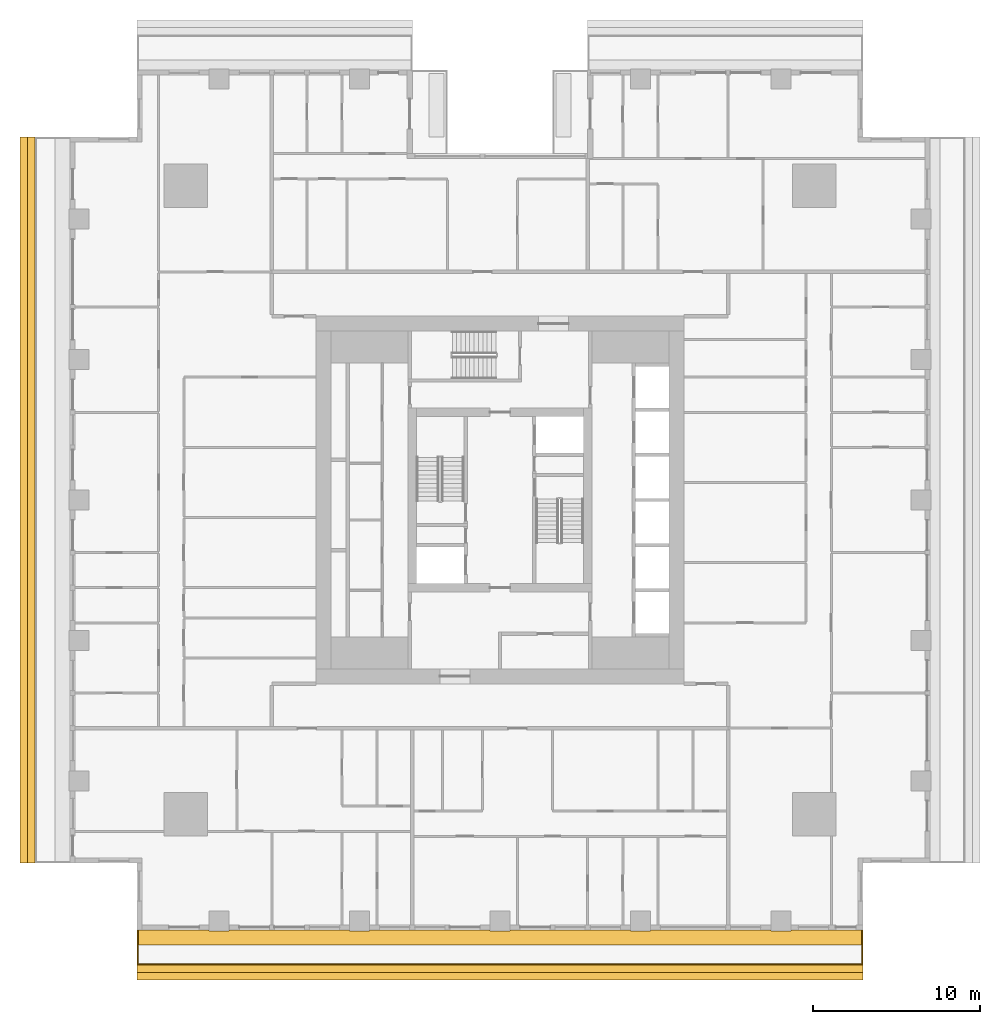
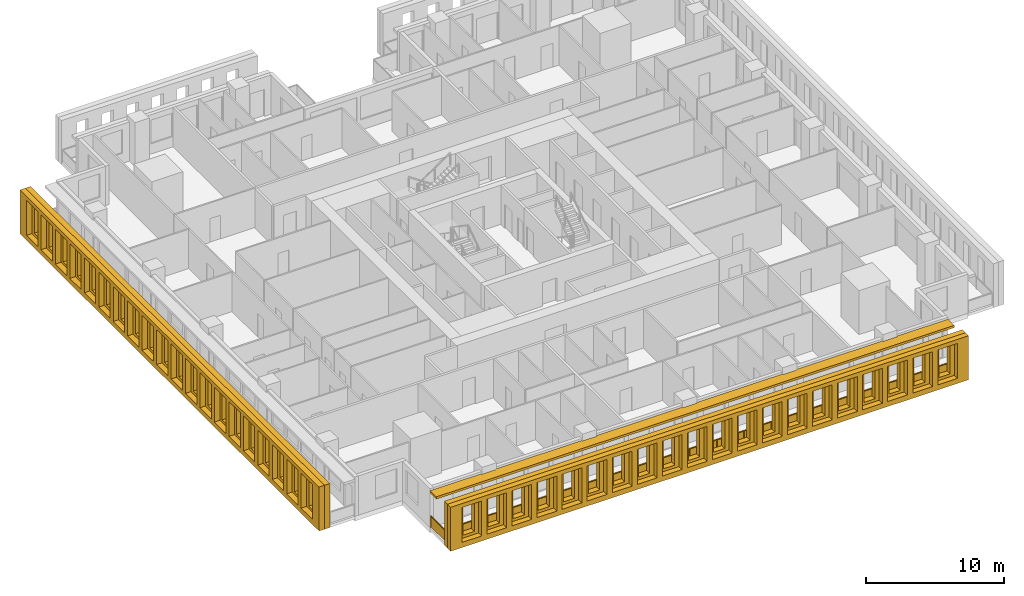
# One storey, part 11 of 16: 5 shading devices, 1 railing.
"""IFC4 building model written with IfcOpenShell, lengths in metres."""

import ifcopenshell
import ifcopenshell.guid

model = None  # the IFC model being written
_history = None  # IfcOwnerHistory: only IFC2X3 demands one
_inside = {}  # id of a spatial element -> (the spatial element, [elements in it])
_under = {}  # id of a project, library or spatial element -> (it, [spatial elements below it])
_declared = {}  # id of a project -> (the project, [libraries it declares])
_typed = {}  # id of a type object -> (the type object, [elements of that type])
_made_of = {}  # id of a material, layer set ... -> (it, [elements and type objects made of it])


def new_model(schema):
    """Start an empty IFC model of exactly this schema.

    Asked for "IFC4X3", IfcOpenShell would pick the latest addendum, in which some entities
    have other attributes; the version numbers below select the first issue.
    IFC2X3 requires an IfcOwnerHistory on every rooted entity: one is made here for all.
    """
    global model, _history
    if schema == "IFC4X3":
        model = ifcopenshell.file(schema_version=(4, 3, 0, 0))
    else:
        model = ifcopenshell.file(schema=schema)
    _inside.clear()
    _under.clear()
    _declared.clear()
    _typed.clear()
    _made_of.clear()
    _history = None
    if model.schema == "IFC2X3":
        org = make("IfcOrganization", Name="unknown")
        user = make(
            "IfcPersonAndOrganization",
            ThePerson=make("IfcPerson", FamilyName="unknown"),
            TheOrganization=org,
        )
        app = make(
            "IfcApplication",
            ApplicationDeveloper=org,
            Version="unknown",
            ApplicationFullName="unknown",
            ApplicationIdentifier="unknown",
        )
        _history = make(
            "IfcOwnerHistory",
            OwningUser=user,
            OwningApplication=app,
            ChangeAction="ADDED",
            CreationDate=0,
        )
    return model


def make(cls, **values):
    """One entity of the class cls with the attributes given. An attribute that is None is left unset."""
    return model.create_entity(
        cls, **{name: value for name, value in values.items() if value is not None}
    )


def rooted(cls, **values):
    """An entity with a GlobalId (a new one), such as an element, a storey or a relation."""
    return make(cls, GlobalId=ifcopenshell.guid.new(), OwnerHistory=_history, **values)


def si_unit(unit_type, name, prefix=None):
    """IfcSIUnit, for example si_unit("LENGTHUNIT", "METRE", prefix="MILLI")."""
    return make("IfcSIUnit", UnitType=unit_type, Prefix=prefix, Name=name)


def assignment(units):
    """IfcUnitAssignment: the units of a project."""
    return None if units is None else make("IfcUnitAssignment", Units=units)


def point(xyz):
    """IfcCartesianPoint."""
    return None if xyz is None else make("IfcCartesianPoint", Coordinates=xyz)


def direction(xyz):
    """IfcDirection."""
    return None if xyz is None else make("IfcDirection", DirectionRatios=xyz)


def frame(location, z_axis=None, x_axis=None):
    """IfcAxis2Placement3D, a coordinate frame: its origin and axes. An axis left out is left unset."""
    return make(
        "IfcAxis2Placement3D",
        Location=point(location),
        Axis=direction(z_axis),
        RefDirection=direction(x_axis),
    )


def frame_2d(location, x_axis=None):
    """IfcAxis2Placement2D, a coordinate frame in the plane: its origin and x axis."""
    return make(
        "IfcAxis2Placement2D", Location=point(location), RefDirection=direction(x_axis)
    )


def origin():
    """The frame at (0, 0, 0) with its axes left unset."""
    return frame((0.0, 0.0, 0.0))


def origin_2d():
    """The frame at (0, 0) in the plane with its x axis left unset."""
    return frame_2d((0.0, 0.0))


def place(relative_to, where):
    """IfcLocalPlacement: puts the frame where relative to a parent placement (None: the world)."""
    return make(
        "IfcLocalPlacement", PlacementRelTo=relative_to, RelativePlacement=where
    )


def context(
    kind, dimensions, precision=None, world=None, true_north=None, identifier=None
):
    """IfcGeometricRepresentationContext, for example the 3D "Model" context."""
    return make(
        "IfcGeometricRepresentationContext",
        ContextIdentifier=identifier,
        ContextType=kind,
        CoordinateSpaceDimension=dimensions,
        Precision=precision,
        WorldCoordinateSystem=world,
        TrueNorth=true_north,
    )


def subcontext(parent, identifier, kind, view, scale=None):
    """IfcGeometricRepresentationSubContext, for example "Body" below "Model"."""
    return make(
        "IfcGeometricRepresentationSubContext",
        ContextIdentifier=identifier,
        ContextType=kind,
        ParentContext=parent,
        TargetScale=scale,
        TargetView=view,
    )


def project(units=None, contexts=None):
    """IfcProject with its units and contexts."""
    return rooted(
        "IfcProject",
        Name="project",
        RepresentationContexts=contexts,
        UnitsInContext=assignment(units),
    )


def spatial(cls, under=None, at=None, **own):
    """A site, building, storey or space (cls), placed at a placement, below another one or the project."""
    s = rooted(cls, ObjectPlacement=at, **own)
    if under is not None:
        _under.setdefault(under.id(), (under, []))[1].append(s)
    return s


def polyline(points):
    """IfcPolyline through the points."""
    return make("IfcPolyline", Points=[point(p) for p in points])


def profile(cls, at=None, kind="AREA", **sizes):
    """A parametric profile (cls). Its sizes go by their IFC names, for example OverallWidth=200.0."""
    return make(cls, ProfileType=kind, Position=at, **sizes)


def rectangle(**sizes):
    """IfcRectangleProfileDef."""
    return profile("IfcRectangleProfileDef", **sizes)


def outline(outer, holes=None, kind="AREA"):
    """IfcArbitraryClosedProfileDef: a profile drawn as a closed curve; with holes, ...WithVoids."""
    if holes is None:
        return make("IfcArbitraryClosedProfileDef", ProfileType=kind, OuterCurve=outer)
    return make(
        "IfcArbitraryProfileDefWithVoids",
        ProfileType=kind,
        OuterCurve=outer,
        InnerCurves=holes,
    )


def extrude(swept, where, along, depth):
    """IfcExtrudedAreaSolid: the profile swept, set in the frame where, extruded along a direction by depth."""
    return make(
        "IfcExtrudedAreaSolid",
        SweptArea=swept,
        Position=where,
        ExtrudedDirection=direction(along),
        Depth=depth,
    )


def shape(context_of_items, identifier, shape_type, items):
    """IfcShapeRepresentation: the items that make up one representation, for example the "Body"."""
    return make(
        "IfcShapeRepresentation",
        ContextOfItems=context_of_items,
        RepresentationIdentifier=identifier,
        RepresentationType=shape_type,
        Items=items,
    )


def material(Name=None, Category=None):
    """IfcMaterial."""
    return make("IfcMaterial", Name=Name, Category=Category)


def layer(
    of_material, thickness, ventilated=None, Name=None, Category=None, Priority=None
):
    """IfcMaterialLayer: one layer of a wall or slab, of a material (None: an air gap)."""
    return make(
        "IfcMaterialLayer",
        Material=of_material,
        LayerThickness=thickness,
        IsVentilated=ventilated,
        Name=Name,
        Category=Category,
        Priority=Priority,
    )


def layer_set(layers, Name=None):
    """IfcMaterialLayerSet."""
    return make("IfcMaterialLayerSet", MaterialLayers=layers, LayerSetName=Name)


def made_of(thing, what):
    """Note that an element or type object is made of a material, layer set ...; save() writes the relation."""
    if what is not None:
        _made_of.setdefault(what.id(), (what, []))[1].append(thing)
    return thing


def type_object(cls, material=None, **own):
    """A type object (cls), such as IfcWallType, which elements share."""
    return made_of(rooted(cls, **own), material)


def element(
    cls,
    number,
    at=None,
    inside=None,
    cuts=None,
    type_object=None,
    material=None,
    context=None,
    identifier="Body",
    shape_type=None,
    held_by="IfcProductDefinitionShape",
    body=None,
    shapes=None,
    **own,
):
    """One element of the class cls, such as IfcWall. Its Tag is "e" and its number.

    at: its placement. inside: the storey or other place that contains it. cuts: it is an
    opening in that element (IfcRelVoidsElement). A single representation is given by context,
    identifier, shape_type and body (its items); several are given by shapes. held_by: the class
    of the entity that holds the representations. save() writes the other relations.
    """
    e = rooted(cls, Tag="e%d" % number, ObjectPlacement=at, **own)
    if body is not None:
        shapes = [shape(context, identifier, shape_type, body)]
    if shapes is not None:
        e.Representation = make(held_by, Representations=shapes)
    if inside is not None:
        _inside.setdefault(inside.id(), (inside, []))[1].append(e)
    if cuts is not None:
        rooted(
            "IfcRelVoidsElement", RelatingBuildingElement=cuts, RelatedOpeningElement=e
        )
    if type_object is not None:
        _typed.setdefault(type_object.id(), (type_object, []))[1].append(e)
    return made_of(e, material)


def aggregate(whole, parts):
    """IfcRelAggregates: a whole, such as a stair, and the parts it consists of."""
    return rooted("IfcRelAggregates", RelatingObject=whole, RelatedObjects=parts)


def save(model, path):
    """Write the relations noted so far, then the file.

    IfcRelAggregates (storeys below a building ...), IfcRelContainedInSpatialStructure (elements
    in a storey), IfcRelDefinesByType, IfcRelAssociatesMaterial and IfcRelDeclares: one each for
    every whole, place, type object, material and project.
    """
    for whole, parts in _under.values():
        aggregate(whole, parts)
    for where, things in _inside.values():
        rooted(
            "IfcRelContainedInSpatialStructure",
            RelatedElements=things,
            RelatingStructure=where,
        )
    for kind, things in _typed.values():
        rooted("IfcRelDefinesByType", RelatedObjects=things, RelatingType=kind)
    for what, things in _made_of.values():
        rooted("IfcRelAssociatesMaterial", RelatedObjects=things, RelatingMaterial=what)
    for by, libraries in _declared.values():
        rooted("IfcRelDeclares", RelatingContext=by, RelatedDefinitions=libraries)
    model.write(path)


model = new_model("IFC4")

# Units and contexts
model_context = context("Model", 3, precision=1e-05, world=origin(), true_north=direction((0.0, 1.0)))
body_context = subcontext(model_context, "Body", "Model", "MODEL_VIEW")
ifc_project = project(units=[si_unit("LENGTHUNIT", "METRE"), si_unit("AREAUNIT", "SQUARE_METRE"), si_unit("VOLUMEUNIT", "CUBIC_METRE"), si_unit("PLANEANGLEUNIT", "RADIAN"), si_unit("MASSUNIT", "GRAM", prefix="KILO")], contexts=[model_context])

# Site, building, storey
site_placement = place(None, origin())
site = spatial("IfcSite", under=ifc_project, at=site_placement, CompositionType="ELEMENT")
building_placement = place(site_placement, origin())
building = spatial("IfcBuilding", under=site, at=building_placement, Name="Khepri Terraces", CompositionType="ELEMENT")
storey_placement = place(building_placement, frame((0.0, 0.0, 141.60009765625)))
storey = spatial("IfcBuildingStorey", under=building, at=storey_placement, Name="L33", CompositionType="ELEMENT", Elevation=141.60009765625)

# Railing
ifc_material_1 = material(Name="Stainless steel grade 316", Category="steel")
railing_type = type_object("IfcRailingType", Name="GRD-BAL-1100", PredefinedType="GUARDRAIL", material=ifc_material_1)
railing_placement = place(storey_placement, frame((-21.669921875, -25.719970703125, 0.0)))
element("IfcRailing", 1, at=railing_placement, inside=storey, type_object=railing_type, Name="Balcony guard L33 S", PredefinedType="GUARDRAIL", context=body_context, shape_type="SweptSolid", body=[
    extrude(rectangle(XDim=0.050048828125, YDim=0.06005859375, at=origin_2d()), frame((0.0, 0.0, 1.070068359375), z_axis=(0.0, -1.0, 0.0), x_axis=(1.0, 0.0, 0.0)), (0.0, 0.0, 1.0), 2.050048828125),
    extrude(rectangle(XDim=2.0, YDim=0.011962890625, at=origin_2d()), frame((0.0, -1.02490234375, 0.10009765625), z_axis=(0.0, 0.0, 1.0), x_axis=(0.0, -1.0, 0.0)), (0.0, 0.0, 1.0), 0.93994140625),
    extrude(rectangle(XDim=0.050048828125, YDim=0.06005859375, at=origin_2d()), frame((0.0, -2.050048828125, 1.070068359375), z_axis=(1.0, 0.0, 0.0), x_axis=(0.0, 1.0, 0.0)), (0.0, 0.0, 1.0), 43.33984375),
    extrude(rectangle(XDim=2.23095703125, YDim=0.011962890625, at=origin_2d()), frame((1.140625, -2.050048828125, 0.10009765625), z_axis=(0.0, 0.0, 1.0), x_axis=(1.0, 0.0, 0.0)), (0.0, 0.0, 1.0), 0.93994140625),
    extrude(rectangle(XDim=2.23095703125, YDim=0.011962890625, at=origin_2d()), frame((3.421630859375, -2.050048828125, 0.10009765625), z_axis=(0.0, 0.0, 1.0), x_axis=(1.0, 0.0, 0.0)), (0.0, 0.0, 1.0), 0.93994140625),
    extrude(rectangle(XDim=2.23095703125, YDim=0.011962890625, at=origin_2d()), frame((5.70263671875, -2.050048828125, 0.10009765625), z_axis=(0.0, 0.0, 1.0), x_axis=(1.0, 0.0, 0.0)), (0.0, 0.0, 1.0), 0.93994140625),
    extrude(rectangle(XDim=2.23095703125, YDim=0.011962890625, at=origin_2d()), frame((7.983642578125, -2.050048828125, 0.10009765625), z_axis=(0.0, 0.0, 1.0), x_axis=(1.0, 0.0, 0.0)), (0.0, 0.0, 1.0), 0.93994140625),
    extrude(rectangle(XDim=2.23095703125, YDim=0.011962890625, at=origin_2d()), frame((10.2646484375, -2.050048828125, 0.10009765625), z_axis=(0.0, 0.0, 1.0), x_axis=(1.0, 0.0, 0.0)), (0.0, 0.0, 1.0), 0.93994140625),
    extrude(rectangle(XDim=2.23095703125, YDim=0.011962890625, at=origin_2d()), frame((12.545654296875, -2.050048828125, 0.10009765625), z_axis=(0.0, 0.0, 1.0), x_axis=(1.0, 0.0, 0.0)), (0.0, 0.0, 1.0), 0.93994140625),
    extrude(rectangle(XDim=2.23095703125, YDim=0.011962890625, at=origin_2d()), frame((14.826904296875, -2.050048828125, 0.10009765625), z_axis=(0.0, 0.0, 1.0), x_axis=(1.0, 0.0, 0.0)), (0.0, 0.0, 1.0), 0.93994140625),
    extrude(rectangle(XDim=2.23095703125, YDim=0.011962890625, at=origin_2d()), frame((17.10791015625, -2.050048828125, 0.10009765625), z_axis=(0.0, 0.0, 1.0), x_axis=(1.0, 0.0, 0.0)), (0.0, 0.0, 1.0), 0.93994140625),
    extrude(rectangle(XDim=2.23095703125, YDim=0.011962890625, at=origin_2d()), frame((19.388916015625, -2.050048828125, 0.10009765625), z_axis=(0.0, 0.0, 1.0), x_axis=(1.0, 0.0, 0.0)), (0.0, 0.0, 1.0), 0.93994140625),
    extrude(rectangle(XDim=2.23095703125, YDim=0.011962890625, at=origin_2d()), frame((21.669921875, -2.050048828125, 0.10009765625), z_axis=(0.0, 0.0, 1.0), x_axis=(1.0, 0.0, 0.0)), (0.0, 0.0, 1.0), 0.93994140625),
    extrude(rectangle(XDim=2.23095703125, YDim=0.011962890625, at=origin_2d()), frame((23.950927734375, -2.050048828125, 0.10009765625), z_axis=(0.0, 0.0, 1.0), x_axis=(1.0, 0.0, 0.0)), (0.0, 0.0, 1.0), 0.93994140625),
    extrude(rectangle(XDim=2.23095703125, YDim=0.011962890625, at=origin_2d()), frame((26.23193359375, -2.050048828125, 0.10009765625), z_axis=(0.0, 0.0, 1.0), x_axis=(1.0, 0.0, 0.0)), (0.0, 0.0, 1.0), 0.93994140625),
    extrude(rectangle(XDim=2.23095703125, YDim=0.011962890625, at=origin_2d()), frame((28.512939453125, -2.050048828125, 0.10009765625), z_axis=(0.0, 0.0, 1.0), x_axis=(1.0, 0.0, 0.0)), (0.0, 0.0, 1.0), 0.93994140625),
    extrude(rectangle(XDim=2.23095703125, YDim=0.011962890625, at=origin_2d()), frame((30.794189453125, -2.050048828125, 0.10009765625), z_axis=(0.0, 0.0, 1.0), x_axis=(1.0, 0.0, 0.0)), (0.0, 0.0, 1.0), 0.93994140625),
    extrude(rectangle(XDim=2.23095703125, YDim=0.011962890625, at=origin_2d()), frame((33.0751953125, -2.050048828125, 0.10009765625), z_axis=(0.0, 0.0, 1.0), x_axis=(1.0, 0.0, 0.0)), (0.0, 0.0, 1.0), 0.93994140625),
    extrude(rectangle(XDim=2.23095703125, YDim=0.011962890625, at=origin_2d()), frame((35.356201171875, -2.050048828125, 0.10009765625), z_axis=(0.0, 0.0, 1.0), x_axis=(1.0, 0.0, 0.0)), (0.0, 0.0, 1.0), 0.93994140625),
    extrude(rectangle(XDim=2.23095703125, YDim=0.011962890625, at=origin_2d()), frame((37.63720703125, -2.050048828125, 0.10009765625), z_axis=(0.0, 0.0, 1.0), x_axis=(1.0, 0.0, 0.0)), (0.0, 0.0, 1.0), 0.93994140625),
    extrude(rectangle(XDim=2.23095703125, YDim=0.011962890625, at=origin_2d()), frame((39.918212890625, -2.050048828125, 0.10009765625), z_axis=(0.0, 0.0, 1.0), x_axis=(1.0, 0.0, 0.0)), (0.0, 0.0, 1.0), 0.93994140625),
    extrude(rectangle(XDim=2.23095703125, YDim=0.011962890625, at=origin_2d()), frame((42.19921875, -2.050048828125, 0.10009765625), z_axis=(0.0, 0.0, 1.0), x_axis=(1.0, 0.0, 0.0)), (0.0, 0.0, 1.0), 0.93994140625),
    extrude(rectangle(XDim=0.050048828125, YDim=0.06005859375, at=origin_2d()), frame((43.33984375, -2.050048828125, 1.070068359375), z_axis=(0.0, 1.0, 0.0), x_axis=(-1.0, 0.0, 0.0)), (0.0, 0.0, 1.0), 2.050048828125),
    extrude(rectangle(XDim=2.0, YDim=0.011962890625, at=origin_2d()), frame((43.33984375, -1.02490234375, 0.10009765625), z_axis=(0.0, 0.0, 1.0), x_axis=(0.0, 1.0, 0.0)), (0.0, 0.0, 1.0), 0.93994140625),
    extrude(rectangle(XDim=0.050048828125, YDim=0.050048828125, at=origin_2d()), origin(), (0.0, 0.0, 1.0), 1.0400390625),
    extrude(rectangle(XDim=0.050048828125, YDim=0.050048828125, at=origin_2d()), frame((0.0, -2.050048828125, 0.0)), (0.0, 0.0, 1.0), 1.0400390625),
    extrude(rectangle(XDim=0.050048828125, YDim=0.050048828125, at=origin_2d()), frame((2.281005859375, -2.050048828125, 0.0)), (0.0, 0.0, 1.0), 1.0400390625),
    extrude(rectangle(XDim=0.050048828125, YDim=0.050048828125, at=origin_2d()), frame((4.56201171875, -2.050048828125, 0.0)), (0.0, 0.0, 1.0), 1.0400390625),
    extrude(rectangle(XDim=0.050048828125, YDim=0.050048828125, at=origin_2d()), frame((6.843017578125, -2.050048828125, 0.0)), (0.0, 0.0, 1.0), 1.0400390625),
    extrude(rectangle(XDim=0.050048828125, YDim=0.050048828125, at=origin_2d()), frame((9.124267578125, -2.050048828125, 0.0)), (0.0, 0.0, 1.0), 1.0400390625),
    extrude(rectangle(XDim=0.050048828125, YDim=0.050048828125, at=origin_2d()), frame((11.4052734375, -2.050048828125, 0.0)), (0.0, 0.0, 1.0), 1.0400390625),
    extrude(rectangle(XDim=0.050048828125, YDim=0.050048828125, at=origin_2d()), frame((13.686279296875, -2.050048828125, 0.0)), (0.0, 0.0, 1.0), 1.0400390625),
    extrude(rectangle(XDim=0.050048828125, YDim=0.050048828125, at=origin_2d()), frame((15.96728515625, -2.050048828125, 0.0)), (0.0, 0.0, 1.0), 1.0400390625),
    extrude(rectangle(XDim=0.050048828125, YDim=0.050048828125, at=origin_2d()), frame((18.248291015625, -2.050048828125, 0.0)), (0.0, 0.0, 1.0), 1.0400390625),
    extrude(rectangle(XDim=0.050048828125, YDim=0.050048828125, at=origin_2d()), frame((20.529296875, -2.050048828125, 0.0)), (0.0, 0.0, 1.0), 1.0400390625),
    extrude(rectangle(XDim=0.050048828125, YDim=0.050048828125, at=origin_2d()), frame((22.810546875, -2.050048828125, 0.0)), (0.0, 0.0, 1.0), 1.0400390625),
    extrude(rectangle(XDim=0.050048828125, YDim=0.050048828125, at=origin_2d()), frame((25.091552734375, -2.050048828125, 0.0)), (0.0, 0.0, 1.0), 1.0400390625),
    extrude(rectangle(XDim=0.050048828125, YDim=0.050048828125, at=origin_2d()), frame((27.37255859375, -2.050048828125, 0.0)), (0.0, 0.0, 1.0), 1.0400390625),
    extrude(rectangle(XDim=0.050048828125, YDim=0.050048828125, at=origin_2d()), frame((29.653564453125, -2.050048828125, 0.0)), (0.0, 0.0, 1.0), 1.0400390625),
    extrude(rectangle(XDim=0.050048828125, YDim=0.050048828125, at=origin_2d()), frame((31.9345703125, -2.050048828125, 0.0)), (0.0, 0.0, 1.0), 1.0400390625),
    extrude(rectangle(XDim=0.050048828125, YDim=0.050048828125, at=origin_2d()), frame((34.215576171875, -2.050048828125, 0.0)), (0.0, 0.0, 1.0), 1.0400390625),
    extrude(rectangle(XDim=0.050048828125, YDim=0.050048828125, at=origin_2d()), frame((36.496826171875, -2.050048828125, 0.0)), (0.0, 0.0, 1.0), 1.0400390625),
    extrude(rectangle(XDim=0.050048828125, YDim=0.050048828125, at=origin_2d()), frame((38.77783203125, -2.050048828125, 0.0)), (0.0, 0.0, 1.0), 1.0400390625),
    extrude(rectangle(XDim=0.050048828125, YDim=0.050048828125, at=origin_2d()), frame((41.058837890625, -2.050048828125, 0.0)), (0.0, 0.0, 1.0), 1.0400390625),
    extrude(rectangle(XDim=0.050048828125, YDim=0.050048828125, at=origin_2d()), frame((43.33984375, -2.050048828125, 0.0)), (0.0, 0.0, 1.0), 1.0400390625),
    extrude(rectangle(XDim=0.050048828125, YDim=0.050048828125, at=origin_2d()), frame((43.33984375, 0.0, 0.0)), (0.0, 0.0, 1.0), 1.0400390625),
])

# Shading devices
ifc_material_2 = material(Name="Precast concrete C50/60 warm stone", Category="masonry")
shading_device_type_1 = type_object("IfcShadingDeviceType", Name="SCR-CELL-INNER-450", PredefinedType="USERDEFINED", material=ifc_material_2)
shading_device_1_placement = place(storey_placement, frame((-21.719970703125, -27.820068359375, -0.25), z_axis=(0.0, -1.0, 0.0), x_axis=(1.0, 0.0, 0.0)))
element("IfcShadingDevice", 2, at=shading_device_1_placement, inside=storey, type_object=shading_device_type_1, Name="Cell screen L33 S in", ObjectType="SCREEN", PredefinedType="USERDEFINED", context=body_context, shape_type="SweptSolid", body=[
    extrude(outline(polyline([(0.0, 0.0), (43.43994140625, 0.0), (43.43994140625, 3.89990234375), (0.0, 3.89990234375), (0.0, 0.0)]), holes=[polyline([(1.297607421875, 0.699951171875), (2.242431640625, 0.699951171875), (2.242431640625, 3.300048828125), (1.297607421875, 3.300048828125), (1.297607421875, 0.699951171875)]), polyline([(3.3974609375, 0.699951171875), (4.342529296875, 0.699951171875), (4.342529296875, 3.300048828125), (3.3974609375, 3.300048828125), (3.3974609375, 0.699951171875)]), polyline([(5.49755859375, 0.699951171875), (6.4423828125, 0.699951171875), (6.4423828125, 3.300048828125), (5.49755859375, 3.300048828125), (5.49755859375, 0.699951171875)]), polyline([(7.597412109375, 0.699951171875), (8.54248046875, 0.699951171875), (8.54248046875, 3.300048828125), (7.597412109375, 3.300048828125), (7.597412109375, 0.699951171875)]), polyline([(9.697509765625, 0.699951171875), (10.642578125, 0.699951171875), (10.642578125, 3.300048828125), (9.697509765625, 3.300048828125), (9.697509765625, 0.699951171875)]), polyline([(11.797607421875, 0.699951171875), (12.742431640625, 0.699951171875), (12.742431640625, 3.300048828125), (11.797607421875, 3.300048828125), (11.797607421875, 0.699951171875)]), polyline([(13.8974609375, 0.699951171875), (14.842529296875, 0.699951171875), (14.842529296875, 3.300048828125), (13.8974609375, 3.300048828125), (13.8974609375, 0.699951171875)]), polyline([(15.99755859375, 0.699951171875), (16.9423828125, 0.699951171875), (16.9423828125, 3.300048828125), (15.99755859375, 3.300048828125), (15.99755859375, 0.699951171875)]), polyline([(18.097412109375, 0.699951171875), (19.04248046875, 0.699951171875), (19.04248046875, 3.300048828125), (18.097412109375, 3.300048828125), (18.097412109375, 0.699951171875)]), polyline([(20.197509765625, 0.699951171875), (21.142578125, 0.699951171875), (21.142578125, 3.300048828125), (20.197509765625, 3.300048828125), (20.197509765625, 0.699951171875)]), polyline([(22.297607421875, 0.699951171875), (23.242431640625, 0.699951171875), (23.242431640625, 3.300048828125), (22.297607421875, 3.300048828125), (22.297607421875, 0.699951171875)]), polyline([(24.3974609375, 0.699951171875), (25.342529296875, 0.699951171875), (25.342529296875, 3.300048828125), (24.3974609375, 3.300048828125), (24.3974609375, 0.699951171875)]), polyline([(26.49755859375, 0.699951171875), (27.4423828125, 0.699951171875), (27.4423828125, 3.300048828125), (26.49755859375, 3.300048828125), (26.49755859375, 0.699951171875)]), polyline([(28.597412109375, 0.699951171875), (29.54248046875, 0.699951171875), (29.54248046875, 3.300048828125), (28.597412109375, 3.300048828125), (28.597412109375, 0.699951171875)]), polyline([(30.697509765625, 0.699951171875), (31.642578125, 0.699951171875), (31.642578125, 3.300048828125), (30.697509765625, 3.300048828125), (30.697509765625, 0.699951171875)]), polyline([(32.797607421875, 0.699951171875), (33.742431640625, 0.699951171875), (33.742431640625, 3.300048828125), (32.797607421875, 3.300048828125), (32.797607421875, 0.699951171875)]), polyline([(34.8974609375, 0.699951171875), (35.842529296875, 0.699951171875), (35.842529296875, 3.300048828125), (34.8974609375, 3.300048828125), (34.8974609375, 0.699951171875)]), polyline([(36.99755859375, 0.699951171875), (37.9423828125, 0.699951171875), (37.9423828125, 3.300048828125), (36.99755859375, 3.300048828125), (36.99755859375, 0.699951171875)]), polyline([(39.097412109375, 0.699951171875), (40.04248046875, 0.699951171875), (40.04248046875, 3.300048828125), (39.097412109375, 3.300048828125), (39.097412109375, 0.699951171875)]), polyline([(41.197509765625, 0.699951171875), (42.142578125, 0.699951171875), (42.142578125, 3.300048828125), (41.197509765625, 3.300048828125), (41.197509765625, 0.699951171875)])]), origin(), (0.0, 0.0, 1.0), 0.449951171875),
])
shading_device_2_placement = place(storey_placement, frame((-27.820068359375, 21.719970703125, -0.25), z_axis=(-1.0, 0.0, 0.0), x_axis=(0.0, -1.0, 0.0)))
element("IfcShadingDevice", 3, at=shading_device_2_placement, inside=storey, type_object=shading_device_type_1, Name="Cell screen L33 W in", ObjectType="SCREEN", PredefinedType="USERDEFINED", context=body_context, shape_type="SweptSolid", body=[
    extrude(outline(polyline([(0.0, 0.0), (43.43994140625, 0.0), (43.43994140625, 3.89990234375), (0.0, 3.89990234375), (0.0, 0.0)]), holes=[polyline([(1.297607421875, 0.699951171875), (2.242431640625, 0.699951171875), (2.242431640625, 3.300048828125), (1.297607421875, 3.300048828125), (1.297607421875, 0.699951171875)]), polyline([(3.3974609375, 0.699951171875), (4.342529296875, 0.699951171875), (4.342529296875, 3.300048828125), (3.3974609375, 3.300048828125), (3.3974609375, 0.699951171875)]), polyline([(5.49755859375, 0.699951171875), (6.4423828125, 0.699951171875), (6.4423828125, 3.300048828125), (5.49755859375, 3.300048828125), (5.49755859375, 0.699951171875)]), polyline([(7.597412109375, 0.699951171875), (8.54248046875, 0.699951171875), (8.54248046875, 3.300048828125), (7.597412109375, 3.300048828125), (7.597412109375, 0.699951171875)]), polyline([(9.697509765625, 0.699951171875), (10.642578125, 0.699951171875), (10.642578125, 3.300048828125), (9.697509765625, 3.300048828125), (9.697509765625, 0.699951171875)]), polyline([(11.797607421875, 0.699951171875), (12.742431640625, 0.699951171875), (12.742431640625, 3.300048828125), (11.797607421875, 3.300048828125), (11.797607421875, 0.699951171875)]), polyline([(13.8974609375, 0.699951171875), (14.842529296875, 0.699951171875), (14.842529296875, 3.300048828125), (13.8974609375, 3.300048828125), (13.8974609375, 0.699951171875)]), polyline([(15.99755859375, 0.699951171875), (16.9423828125, 0.699951171875), (16.9423828125, 3.300048828125), (15.99755859375, 3.300048828125), (15.99755859375, 0.699951171875)]), polyline([(18.097412109375, 0.699951171875), (19.04248046875, 0.699951171875), (19.04248046875, 3.300048828125), (18.097412109375, 3.300048828125), (18.097412109375, 0.699951171875)]), polyline([(20.197509765625, 0.699951171875), (21.142578125, 0.699951171875), (21.142578125, 3.300048828125), (20.197509765625, 3.300048828125), (20.197509765625, 0.699951171875)]), polyline([(22.297607421875, 0.699951171875), (23.242431640625, 0.699951171875), (23.242431640625, 3.300048828125), (22.297607421875, 3.300048828125), (22.297607421875, 0.699951171875)]), polyline([(24.3974609375, 0.699951171875), (25.342529296875, 0.699951171875), (25.342529296875, 3.300048828125), (24.3974609375, 3.300048828125), (24.3974609375, 0.699951171875)]), polyline([(26.49755859375, 0.699951171875), (27.4423828125, 0.699951171875), (27.4423828125, 3.300048828125), (26.49755859375, 3.300048828125), (26.49755859375, 0.699951171875)]), polyline([(28.597412109375, 0.699951171875), (29.54248046875, 0.699951171875), (29.54248046875, 3.300048828125), (28.597412109375, 3.300048828125), (28.597412109375, 0.699951171875)]), polyline([(30.697509765625, 0.699951171875), (31.642578125, 0.699951171875), (31.642578125, 3.300048828125), (30.697509765625, 3.300048828125), (30.697509765625, 0.699951171875)]), polyline([(32.797607421875, 0.699951171875), (33.742431640625, 0.699951171875), (33.742431640625, 3.300048828125), (32.797607421875, 3.300048828125), (32.797607421875, 0.699951171875)]), polyline([(34.8974609375, 0.699951171875), (35.842529296875, 0.699951171875), (35.842529296875, 3.300048828125), (34.8974609375, 3.300048828125), (34.8974609375, 0.699951171875)]), polyline([(36.99755859375, 0.699951171875), (37.9423828125, 0.699951171875), (37.9423828125, 3.300048828125), (36.99755859375, 3.300048828125), (36.99755859375, 0.699951171875)]), polyline([(39.097412109375, 0.699951171875), (40.04248046875, 0.699951171875), (40.04248046875, 3.300048828125), (39.097412109375, 3.300048828125), (39.097412109375, 0.699951171875)]), polyline([(41.197509765625, 0.699951171875), (42.142578125, 0.699951171875), (42.142578125, 3.300048828125), (41.197509765625, 3.300048828125), (41.197509765625, 0.699951171875)])]), origin(), (0.0, 0.0, 1.0), 0.449951171875),
])
shading_device_type_2 = type_object("IfcShadingDeviceType", Name="SCR-CELL-OUTER-450", PredefinedType="USERDEFINED", material=ifc_material_2)
shading_device_3_placement = place(storey_placement, frame((-21.719970703125, -28.27001953125, -0.25), z_axis=(0.0, -1.0, 0.0), x_axis=(1.0, 0.0, 0.0)))
element("IfcShadingDevice", 4, at=shading_device_3_placement, inside=storey, type_object=shading_device_type_2, Name="Cell screen L33 S out", ObjectType="SCREEN", PredefinedType="USERDEFINED", context=body_context, shape_type="SweptSolid", body=[
    extrude(outline(polyline([(0.0, 0.0), (43.43994140625, 0.0), (43.43994140625, 3.89990234375), (0.0, 3.89990234375), (0.0, 0.0)]), holes=[polyline([(0.947509765625, 0.449951171875), (2.592529296875, 0.449951171875), (2.592529296875, 3.550048828125), (0.947509765625, 3.550048828125), (0.947509765625, 0.449951171875)]), polyline([(3.047607421875, 0.449951171875), (4.6923828125, 0.449951171875), (4.6923828125, 3.550048828125), (3.047607421875, 3.550048828125), (3.047607421875, 0.449951171875)]), polyline([(5.1474609375, 0.449951171875), (6.79248046875, 0.449951171875), (6.79248046875, 3.550048828125), (5.1474609375, 3.550048828125), (5.1474609375, 0.449951171875)]), polyline([(7.24755859375, 0.449951171875), (8.892578125, 0.449951171875), (8.892578125, 3.550048828125), (7.24755859375, 3.550048828125), (7.24755859375, 0.449951171875)]), polyline([(9.347412109375, 0.449951171875), (10.992431640625, 0.449951171875), (10.992431640625, 3.550048828125), (9.347412109375, 3.550048828125), (9.347412109375, 0.449951171875)]), polyline([(11.447509765625, 0.449951171875), (13.092529296875, 0.449951171875), (13.092529296875, 3.550048828125), (11.447509765625, 3.550048828125), (11.447509765625, 0.449951171875)]), polyline([(13.547607421875, 0.449951171875), (15.1923828125, 0.449951171875), (15.1923828125, 3.550048828125), (13.547607421875, 3.550048828125), (13.547607421875, 0.449951171875)]), polyline([(15.6474609375, 0.449951171875), (17.29248046875, 0.449951171875), (17.29248046875, 3.550048828125), (15.6474609375, 3.550048828125), (15.6474609375, 0.449951171875)]), polyline([(17.74755859375, 0.449951171875), (19.392578125, 0.449951171875), (19.392578125, 3.550048828125), (17.74755859375, 3.550048828125), (17.74755859375, 0.449951171875)]), polyline([(19.847412109375, 0.449951171875), (21.492431640625, 0.449951171875), (21.492431640625, 3.550048828125), (19.847412109375, 3.550048828125), (19.847412109375, 0.449951171875)]), polyline([(21.947509765625, 0.449951171875), (23.592529296875, 0.449951171875), (23.592529296875, 3.550048828125), (21.947509765625, 3.550048828125), (21.947509765625, 0.449951171875)]), polyline([(24.047607421875, 0.449951171875), (25.6923828125, 0.449951171875), (25.6923828125, 3.550048828125), (24.047607421875, 3.550048828125), (24.047607421875, 0.449951171875)]), polyline([(26.1474609375, 0.449951171875), (27.79248046875, 0.449951171875), (27.79248046875, 3.550048828125), (26.1474609375, 3.550048828125), (26.1474609375, 0.449951171875)]), polyline([(28.24755859375, 0.449951171875), (29.892578125, 0.449951171875), (29.892578125, 3.550048828125), (28.24755859375, 3.550048828125), (28.24755859375, 0.449951171875)]), polyline([(30.347412109375, 0.449951171875), (31.992431640625, 0.449951171875), (31.992431640625, 3.550048828125), (30.347412109375, 3.550048828125), (30.347412109375, 0.449951171875)]), polyline([(32.447509765625, 0.449951171875), (34.092529296875, 0.449951171875), (34.092529296875, 3.550048828125), (32.447509765625, 3.550048828125), (32.447509765625, 0.449951171875)]), polyline([(34.547607421875, 0.449951171875), (36.1923828125, 0.449951171875), (36.1923828125, 3.550048828125), (34.547607421875, 3.550048828125), (34.547607421875, 0.449951171875)]), polyline([(36.6474609375, 0.449951171875), (38.29248046875, 0.449951171875), (38.29248046875, 3.550048828125), (36.6474609375, 3.550048828125), (36.6474609375, 0.449951171875)]), polyline([(38.74755859375, 0.449951171875), (40.392578125, 0.449951171875), (40.392578125, 3.550048828125), (38.74755859375, 3.550048828125), (38.74755859375, 0.449951171875)]), polyline([(40.847412109375, 0.449951171875), (42.492431640625, 0.449951171875), (42.492431640625, 3.550048828125), (40.847412109375, 3.550048828125), (40.847412109375, 0.449951171875)])]), origin(), (0.0, 0.0, 1.0), 0.449951171875),
])
shading_device_4_placement = place(storey_placement, frame((-28.27001953125, 21.719970703125, -0.25), z_axis=(-1.0, 0.0, 0.0), x_axis=(0.0, -1.0, 0.0)))
element("IfcShadingDevice", 5, at=shading_device_4_placement, inside=storey, type_object=shading_device_type_2, Name="Cell screen L33 W out", ObjectType="SCREEN", PredefinedType="USERDEFINED", context=body_context, shape_type="SweptSolid", body=[
    extrude(outline(polyline([(0.0, 0.0), (43.43994140625, 0.0), (43.43994140625, 3.89990234375), (0.0, 3.89990234375), (0.0, 0.0)]), holes=[polyline([(0.947509765625, 0.449951171875), (2.592529296875, 0.449951171875), (2.592529296875, 3.550048828125), (0.947509765625, 3.550048828125), (0.947509765625, 0.449951171875)]), polyline([(3.047607421875, 0.449951171875), (4.6923828125, 0.449951171875), (4.6923828125, 3.550048828125), (3.047607421875, 3.550048828125), (3.047607421875, 0.449951171875)]), polyline([(5.1474609375, 0.449951171875), (6.79248046875, 0.449951171875), (6.79248046875, 3.550048828125), (5.1474609375, 3.550048828125), (5.1474609375, 0.449951171875)]), polyline([(7.24755859375, 0.449951171875), (8.892578125, 0.449951171875), (8.892578125, 3.550048828125), (7.24755859375, 3.550048828125), (7.24755859375, 0.449951171875)]), polyline([(9.347412109375, 0.449951171875), (10.992431640625, 0.449951171875), (10.992431640625, 3.550048828125), (9.347412109375, 3.550048828125), (9.347412109375, 0.449951171875)]), polyline([(11.447509765625, 0.449951171875), (13.092529296875, 0.449951171875), (13.092529296875, 3.550048828125), (11.447509765625, 3.550048828125), (11.447509765625, 0.449951171875)]), polyline([(13.547607421875, 0.449951171875), (15.1923828125, 0.449951171875), (15.1923828125, 3.550048828125), (13.547607421875, 3.550048828125), (13.547607421875, 0.449951171875)]), polyline([(15.6474609375, 0.449951171875), (17.29248046875, 0.449951171875), (17.29248046875, 3.550048828125), (15.6474609375, 3.550048828125), (15.6474609375, 0.449951171875)]), polyline([(17.74755859375, 0.449951171875), (19.392578125, 0.449951171875), (19.392578125, 3.550048828125), (17.74755859375, 3.550048828125), (17.74755859375, 0.449951171875)]), polyline([(19.847412109375, 0.449951171875), (21.492431640625, 0.449951171875), (21.492431640625, 3.550048828125), (19.847412109375, 3.550048828125), (19.847412109375, 0.449951171875)]), polyline([(21.947509765625, 0.449951171875), (23.592529296875, 0.449951171875), (23.592529296875, 3.550048828125), (21.947509765625, 3.550048828125), (21.947509765625, 0.449951171875)]), polyline([(24.047607421875, 0.449951171875), (25.6923828125, 0.449951171875), (25.6923828125, 3.550048828125), (24.047607421875, 3.550048828125), (24.047607421875, 0.449951171875)]), polyline([(26.1474609375, 0.449951171875), (27.79248046875, 0.449951171875), (27.79248046875, 3.550048828125), (26.1474609375, 3.550048828125), (26.1474609375, 0.449951171875)]), polyline([(28.24755859375, 0.449951171875), (29.892578125, 0.449951171875), (29.892578125, 3.550048828125), (28.24755859375, 3.550048828125), (28.24755859375, 0.449951171875)]), polyline([(30.347412109375, 0.449951171875), (31.992431640625, 0.449951171875), (31.992431640625, 3.550048828125), (30.347412109375, 3.550048828125), (30.347412109375, 0.449951171875)]), polyline([(32.447509765625, 0.449951171875), (34.092529296875, 0.449951171875), (34.092529296875, 3.550048828125), (32.447509765625, 3.550048828125), (32.447509765625, 0.449951171875)]), polyline([(34.547607421875, 0.449951171875), (36.1923828125, 0.449951171875), (36.1923828125, 3.550048828125), (34.547607421875, 3.550048828125), (34.547607421875, 0.449951171875)]), polyline([(36.6474609375, 0.449951171875), (38.29248046875, 0.449951171875), (38.29248046875, 3.550048828125), (36.6474609375, 3.550048828125), (36.6474609375, 0.449951171875)]), polyline([(38.74755859375, 0.449951171875), (40.392578125, 0.449951171875), (40.392578125, 3.550048828125), (38.74755859375, 3.550048828125), (38.74755859375, 0.449951171875)]), polyline([(40.847412109375, 0.449951171875), (42.492431640625, 0.449951171875), (42.492431640625, 3.550048828125), (40.847412109375, 3.550048828125), (40.847412109375, 0.449951171875)])]), origin(), (0.0, 0.0, 1.0), 0.449951171875),
])
ifc_layer = layer(ifc_material_2, 0.199951171875, Name="Precast concrete C50/60 warm stone", Category="masonry")
ifc_layer_set = layer_set([ifc_layer], Name="Precast concrete C50/60 warm stone")
shading_device_type_3 = type_object("IfcShadingDeviceType", Name="SSH-BAND-STONE-200", PredefinedType="USERDEFINED", material=ifc_layer_set)
shading_device_5_placement = place(storey_placement, frame((0.0, 0.0, 3.099853515625)))
element("IfcShadingDevice", 6, at=shading_device_5_placement, inside=storey, type_object=shading_device_type_3, Name="Sunshade band L33 S", ObjectType="SUNSHADE", PredefinedType="USERDEFINED", context=body_context, shape_type="SweptSolid", body=[
    extrude(outline(polyline([(-17.39990234375, -25.719970703125), (-21.719970703125, -25.719970703125), (-21.719970703125, -26.6201171875), (21.719970703125, -26.6201171875), (21.719970703125, -25.719970703125), (17.39990234375, -25.719970703125), (17.39990234375, -25.800048828125), (16.199951171875, -25.800048828125), (16.199951171875, -25.719970703125), (9.0, -25.719970703125), (9.0, -25.800048828125), (7.800048828125, -25.800048828125), (7.800048828125, -25.719970703125), (0.60009765625, -25.719970703125), (0.60009765625, -25.800048828125), (-0.60009765625, -25.800048828125), (-0.60009765625, -25.719970703125), (-7.800048828125, -25.719970703125), (-7.800048828125, -25.800048828125), (-9.0, -25.800048828125), (-9.0, -25.719970703125), (-16.199951171875, -25.719970703125), (-16.199951171875, -25.800048828125), (-17.39990234375, -25.800048828125), (-17.39990234375, -25.719970703125)])), origin(), (0.0, 0.0, 1.0), 0.199951171875),
])

save(model, "model.ifc")
